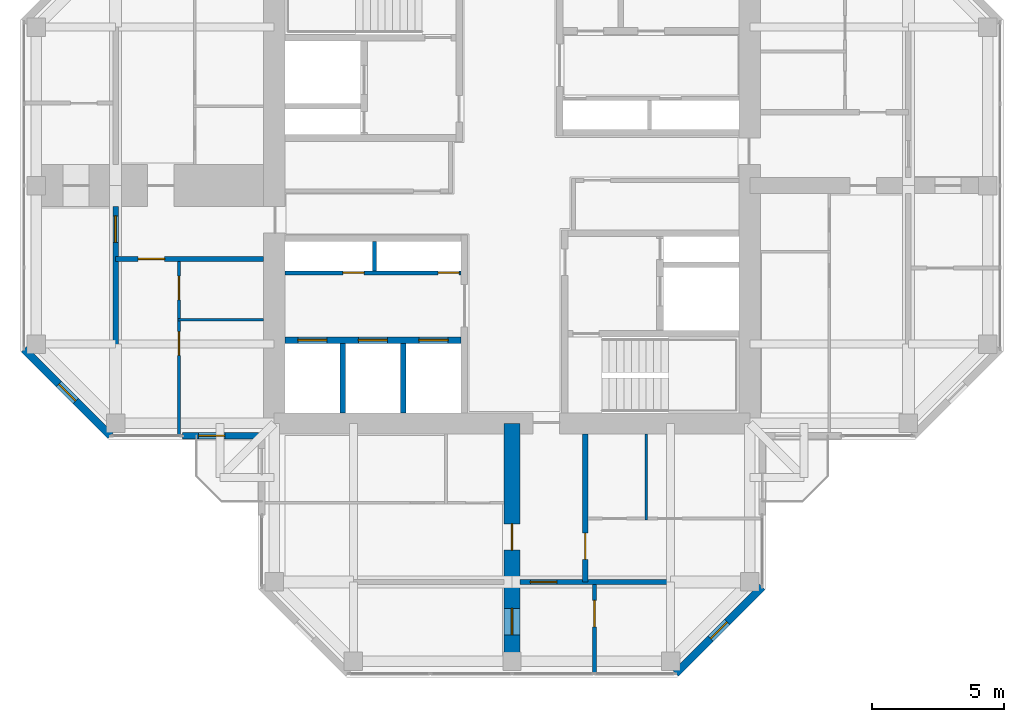
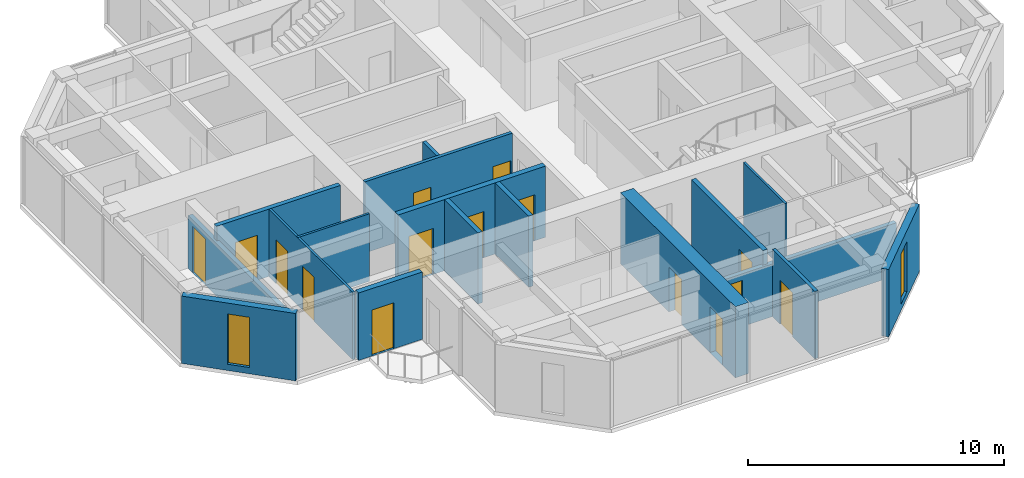
# One storey, part 8 of 13: 17 walls, 15 doors, 2 windows, 17 openings.
"""IFC4 building model written with IfcOpenShell, lengths in metres."""

from ifc_helpers import new_model, si_unit, direction, frame, frame_2d, origin, place, context, subcontext, project, spatial, rectangle, hollow_rectangle, extrude, material, layer, layer_set, constituent, constituent_set, type_object, element, fill, save


model = new_model("IFC4")

# Units and contexts
model_context = context("Model", 3, precision=1e-05, world=origin(), true_north=direction((0.0, 1.0)))
body_context = subcontext(model_context, "Body", "Model", "MODEL_VIEW")
ifc_project = project(units=[si_unit("LENGTHUNIT", "METRE"), si_unit("AREAUNIT", "SQUARE_METRE"), si_unit("VOLUMEUNIT", "CUBIC_METRE"), si_unit("PLANEANGLEUNIT", "RADIAN"), si_unit("MASSUNIT", "GRAM", prefix="KILO")], contexts=[model_context])

# Site, building, storey
site_placement = place(None, origin())
site = spatial("IfcSite", under=ifc_project, at=site_placement, CompositionType="ELEMENT")
building_placement = place(site_placement, origin())
building = spatial("IfcBuilding", under=site, at=building_placement, Name="Torre Cruceta", CompositionType="ELEMENT")
storey_placement = place(building_placement, frame((0.0, 0.0, 261.10009765625)))
storey = spatial("IfcBuildingStorey", under=building, at=storey_placement, Name="L67", CompositionType="ELEMENT", Elevation=261.10009765625)

# Walls
ifc_material_1 = material(Name="Water-resistant plasterboard on steel studs", Category="steel")
ifc_layer_1 = layer(ifc_material_1, 0.10009765625)
ifc_layer_set_1 = layer_set([ifc_layer_1], Name="Water-resistant plasterboard on steel studs")
wall_type_1 = type_object("IfcWallType", Name="BATHROOM WALL 100", PredefinedType="PARTITIONING", material=ifc_layer_set_1)
for number, where, z_axis, x_axis, name in (
    (1, (5.074951171875, -9.39990234375, 0.0), (0.0, 0.0, 1.0), (0.0, -1.0, 0.0), "PT4 L67-S-U1LBB"),
    (2, (-9.39990234375, -5.074951171875, 0.0), (0.0, 0.0, 1.0), (-1.0, 0.0, 0.0), "PT4 L67-W-U1LBB"),
):
    element("IfcWall", number, at=place(storey_placement, frame(where, z_axis=z_axis, x_axis=x_axis)), inside=storey, type_object=wall_type_1, Name=name, PredefinedType="PARTITIONING", context=body_context, shape_type="SweptSolid", body=[
        extrude(rectangle(XDim=3.25, YDim=0.10009765625, at=frame_2d((1.625, 0.0))), origin(), (0.0, 0.0, 1.0), 3.219970703125),
    ])

# Wall, openings, doors
wall_1_placement = place(storey_placement, frame((-12.60009765625, -2.875, 0.0), z_axis=(0.0, 0.0, 1.0), x_axis=(0.0, -1.0, 0.0)))
wall_1 = element("IfcWall", 3, at=wall_1_placement, inside=storey, type_object=wall_type_1, Name="PT4 L67-W-U1LBS", PredefinedType="PARTITIONING", context=body_context, shape_type="SweptSolid", body=[
    extrude(rectangle(XDim=6.554931640625, YDim=0.10009765625, at=frame_2d((3.27734375, 0.0))), origin(), (0.0, 0.0, 1.0), 3.219970703125),
])
opening_1_placement = place(wall_1_placement, frame((0.550048828125, 0.0, 0.0)))
opening_1 = element("IfcOpeningElement", 4, at=opening_1_placement, cuts=wall_1, Name="Opening D7", PredefinedType="OPENING", context=body_context, shape_type="SweptSolid", body=[
    extrude(rectangle(XDim=0.89990234375, YDim=2.10009765625, at=frame_2d((0.449951171875, 1.050048828125))), frame((0.0, 0.06005859375, 0.0), z_axis=(0.0, -1.0, 0.0), x_axis=(1.0, 0.0, 0.0)), (0.0, 0.0, 1.0), 0.1201171875),
])
opening_2_placement = place(wall_1_placement, frame((2.64990234375, 0.0, 0.0)))
opening_2 = element("IfcOpeningElement", 5, at=opening_2_placement, cuts=wall_1, Name="Opening D7", PredefinedType="OPENING", context=body_context, shape_type="SweptSolid", body=[
    extrude(rectangle(XDim=0.89990234375, YDim=2.10009765625, at=frame_2d((0.449951171875, 1.050048828125))), frame((0.0, 0.06005859375, 0.0), z_axis=(0.0, -1.0, 0.0), x_axis=(1.0, 0.0, 0.0)), (0.0, 0.0, 1.0), 0.1201171875),
])
ifc_material_2 = material(Name="Timber door", Category="wood")
door_type_1 = type_object("IfcDoorType", Name="BATHROOM DOOR 900X2100", OperationType="SINGLE_SWING_LEFT", PredefinedType="DOOR", material=ifc_material_2)
door_1_placement = place(opening_1_placement, origin())
door_1 = element("IfcDoor", 6, at=door_1_placement, inside=storey, type_object=door_type_1, Name="D7 L67-W-U1LBS-D1", OperationType="SINGLE_SWING_LEFT", OverallHeight=2.10009765625, OverallWidth=0.89990234375, PredefinedType="DOOR", context=body_context, shape_type="SweptSolid", body=[
    extrude(rectangle(XDim=0.89990234375, YDim=2.10009765625, at=frame_2d((0.449951171875, 1.050048828125))), frame((0.0, 0.02490234375, 0.0), z_axis=(0.0, -1.0, 0.0), x_axis=(1.0, 0.0, 0.0)), (0.0, 0.0, 1.0), 0.050048828125),
])
fill(opening_1, door_1)
door_2_placement = place(opening_2_placement, origin())
door_2 = element("IfcDoor", 7, at=door_2_placement, inside=storey, type_object=door_type_1, Name="D7 L67-W-U1LBS-D2", OperationType="SINGLE_SWING_LEFT", OverallHeight=2.10009765625, OverallWidth=0.89990234375, PredefinedType="DOOR", context=body_context, shape_type="SweptSolid", body=[
    extrude(rectangle(XDim=0.89990234375, YDim=2.10009765625, at=frame_2d((0.449951171875, 1.050048828125))), frame((0.0, 0.02490234375, 0.0), z_axis=(0.0, -1.0, 0.0), x_axis=(1.0, 0.0, 0.0)), (0.0, 0.0, 1.0), 0.050048828125),
])
fill(opening_2, door_2)

ifc_material_3 = material(Name="Concrete G60 (fck 60 MPa)", Category="concrete")
ifc_layer_2 = layer(ifc_material_3, 0.25)
ifc_layer_set_2 = layer_set([ifc_layer_2], Name="Concrete G60 (fck 60 MPa)")
wall_type_2 = type_object("IfcWallType", Name="CORE INNER WALL 250 G60", PredefinedType="SHEAR", material=ifc_layer_set_2)
wall_2_placement = place(storey_placement, frame((-1.925048828125, -5.85009765625, 0.0), z_axis=(0.0, 0.0, 1.0), x_axis=(-1.0, 0.0, 0.0)))
wall_2 = element("IfcWall", 8, at=wall_2_placement, inside=storey, type_object=wall_type_2, Name="CW4 L67 SW-LV", PredefinedType="SHEAR", context=body_context, shape_type="SweptSolid", body=[
    extrude(rectangle(XDim=6.675048828125, YDim=0.25, at=frame_2d((3.33740234375, 0.0))), origin(), (0.0, 0.0, 1.0), 3.39990234375),
])
opening_3_placement = place(wall_2_placement, frame((0.495849609375, 0.0, 0.0)))
opening_3 = element("IfcOpeningElement", 9, at=opening_3_placement, cuts=wall_2, Name="Opening LD1", PredefinedType="OPENING", context=body_context, shape_type="SweptSolid", body=[
    extrude(rectangle(XDim=1.10009765625, YDim=2.199951171875, at=frame_2d((0.550048828125, 1.10009765625))), frame((0.0, 0.135009765625, 0.0), z_axis=(0.0, -1.0, 0.0), x_axis=(1.0, 0.0, 0.0)), (0.0, 0.0, 1.0), 0.27001953125),
])
opening_4_placement = place(wall_2_placement, frame((2.78759765625, 0.0, 0.0)))
opening_4 = element("IfcOpeningElement", 10, at=opening_4_placement, cuts=wall_2, Name="Opening LD1", PredefinedType="OPENING", context=body_context, shape_type="SweptSolid", body=[
    extrude(rectangle(XDim=1.10009765625, YDim=2.199951171875, at=frame_2d((0.550048828125, 1.10009765625))), frame((0.0, 0.135009765625, 0.0), z_axis=(0.0, -1.0, 0.0), x_axis=(1.0, 0.0, 0.0)), (0.0, 0.0, 1.0), 0.27001953125),
])
opening_5_placement = place(wall_2_placement, frame((5.0791015625, 0.0, 0.0)))
opening_5 = element("IfcOpeningElement", 11, at=opening_5_placement, cuts=wall_2, Name="Opening LD1", PredefinedType="OPENING", context=body_context, shape_type="SweptSolid", body=[
    extrude(rectangle(XDim=1.10009765625, YDim=2.199951171875, at=frame_2d((0.550048828125, 1.10009765625))), frame((0.0, 0.135009765625, 0.0), z_axis=(0.0, -1.0, 0.0), x_axis=(1.0, 0.0, 0.0)), (0.0, 0.0, 1.0), 0.27001953125),
])
ifc_material_4 = material(Name="Stainless steel 1.4401", Category="steel")
door_type_2 = type_object("IfcDoorType", Name="LIFT LANDING DOOR 1100X2200", OperationType="DOUBLE_DOOR_SLIDING", PredefinedType="DOOR", material=ifc_material_4)
door_3_placement = place(opening_3_placement, origin())
door_3 = element("IfcDoor", 12, at=door_3_placement, inside=storey, type_object=door_type_2, Name="Lift landing door R1", OperationType="DOUBLE_DOOR_SLIDING", OverallHeight=2.199951171875, OverallWidth=1.10009765625, PredefinedType="DOOR", context=body_context, shape_type="SweptSolid", body=[
    extrude(rectangle(XDim=1.10009765625, YDim=2.199951171875, at=frame_2d((0.550048828125, 1.10009765625))), frame((0.0, 0.02490234375, 0.0), z_axis=(0.0, -1.0, 0.0), x_axis=(1.0, 0.0, 0.0)), (0.0, 0.0, 1.0), 0.050048828125),
])
fill(opening_3, door_3)
door_4_placement = place(opening_4_placement, origin())
door_4 = element("IfcDoor", 13, at=door_4_placement, inside=storey, type_object=door_type_2, Name="Lift landing door R2", OperationType="DOUBLE_DOOR_SLIDING", OverallHeight=2.199951171875, OverallWidth=1.10009765625, PredefinedType="DOOR", context=body_context, shape_type="SweptSolid", body=[
    extrude(rectangle(XDim=1.10009765625, YDim=2.199951171875, at=frame_2d((0.550048828125, 1.10009765625))), frame((0.0, 0.02490234375, 0.0), z_axis=(0.0, -1.0, 0.0), x_axis=(1.0, 0.0, 0.0)), (0.0, 0.0, 1.0), 0.050048828125),
])
fill(opening_4, door_4)
door_5_placement = place(opening_5_placement, origin())
door_5 = element("IfcDoor", 14, at=door_5_placement, inside=storey, type_object=door_type_2, Name="Lift landing door R3", OperationType="DOUBLE_DOOR_SLIDING", OverallHeight=2.199951171875, OverallWidth=1.10009765625, PredefinedType="DOOR", context=body_context, shape_type="SweptSolid", body=[
    extrude(rectangle(XDim=1.10009765625, YDim=2.199951171875, at=frame_2d((0.550048828125, 1.10009765625))), frame((0.0, 0.02490234375, 0.0), z_axis=(0.0, -1.0, 0.0), x_axis=(1.0, 0.0, 0.0)), (0.0, 0.0, 1.0), 0.050048828125),
])
fill(opening_5, door_5)

# Wall, opening, door
ifc_material_5 = material(Name="Concrete G25 (fck 25 MPa)", Category="concrete")
ifc_layer_3 = layer(ifc_material_5, 0.199951171875)
ifc_layer_set_3 = layer_set([ifc_layer_3], Name="Concrete G25 (fck 25 MPa)")
wall_type_3 = type_object("IfcWallType", Name="CORRIDOR WALL 200", PredefinedType="SOLIDWALL", material=ifc_layer_set_3)
wall_3_placement = place(storey_placement, frame((2.77490234375, -9.39990234375, 0.0), z_axis=(0.0, 0.0, 1.0), x_axis=(0.0, -1.0, 0.0)))
wall_3 = element("IfcWall", 15, at=wall_3_placement, inside=storey, type_object=wall_type_3, Name="PT3 L67-S-CL", PredefinedType="SOLIDWALL", context=body_context, shape_type="SweptSolid", body=[
    extrude(rectangle(XDim=5.60009765625, YDim=0.199951171875, at=frame_2d((2.800048828125, 0.0))), origin(), (0.0, 0.0, 1.0), 3.219970703125),
])
opening_6_placement = place(wall_3_placement, frame((3.75, 0.0, 0.0)))
opening_6 = element("IfcOpeningElement", 16, at=opening_6_placement, cuts=wall_3, Name="Opening D6", PredefinedType="OPENING", context=body_context, shape_type="SweptSolid", body=[
    extrude(rectangle(XDim=1.0, YDim=2.14990234375, at=frame_2d((0.5, 1.074951171875))), frame((0.0, 0.10986328125, 0.0), z_axis=(0.0, -1.0, 0.0), x_axis=(1.0, 0.0, 0.0)), (0.0, 0.0, 1.0), 0.219970703125),
])
ifc_material_6 = material(Name="Timber fire door", Category="wood")
door_type_3 = type_object("IfcDoorType", Name="UNIT ENTRANCE DOOR 1000X2150", OperationType="SINGLE_SWING_LEFT", PredefinedType="DOOR", material=ifc_material_6)
door_6_placement = place(opening_6_placement, origin())
door_6 = element("IfcDoor", 17, at=door_6_placement, inside=storey, type_object=door_type_3, Name="D6 L67-S-CL-D1", OperationType="SINGLE_SWING_LEFT", OverallHeight=2.14990234375, OverallWidth=1.0, PredefinedType="DOOR", context=body_context, shape_type="SweptSolid", body=[
    extrude(rectangle(XDim=1.0, YDim=2.14990234375, at=frame_2d((0.5, 1.074951171875))), frame((0.0, 0.02490234375, 0.0), z_axis=(0.0, -1.0, 0.0), x_axis=(1.0, 0.0, 0.0)), (0.0, 0.0, 1.0), 0.050048828125),
])
fill(opening_6, door_6)

wall_4_placement = place(storey_placement, frame((-9.39990234375, -2.77490234375, 0.0), z_axis=(0.0, 0.0, 1.0), x_axis=(-1.0, 0.0, 0.0)))
wall_4 = element("IfcWall", 18, at=wall_4_placement, inside=storey, type_object=wall_type_3, Name="PT3 L67-W-CL", PredefinedType="SOLIDWALL", context=body_context, shape_type="SweptSolid", body=[
    extrude(rectangle(XDim=5.60009765625, YDim=0.199951171875, at=frame_2d((2.800048828125, 0.0))), origin(), (0.0, 0.0, 1.0), 3.219970703125),
])
opening_7_placement = place(wall_4_placement, frame((3.75, 0.0, 0.0)))
opening_7 = element("IfcOpeningElement", 19, at=opening_7_placement, cuts=wall_4, Name="Opening D6", PredefinedType="OPENING", context=body_context, shape_type="SweptSolid", body=[
    extrude(rectangle(XDim=1.0, YDim=2.14990234375, at=frame_2d((0.5, 1.074951171875))), frame((0.0, 0.10986328125, 0.0), z_axis=(0.0, -1.0, 0.0), x_axis=(1.0, 0.0, 0.0)), (0.0, 0.0, 1.0), 0.219970703125),
])
door_7_placement = place(opening_7_placement, origin())
door_7 = element("IfcDoor", 20, at=door_7_placement, inside=storey, type_object=door_type_3, Name="D6 L67-W-CL-D1", OperationType="SINGLE_SWING_LEFT", OverallHeight=2.14990234375, OverallWidth=1.0, PredefinedType="DOOR", context=body_context, shape_type="SweptSolid", body=[
    extrude(rectangle(XDim=1.0, YDim=2.14990234375, at=frame_2d((0.5, 1.074951171875))), frame((0.0, 0.02490234375, 0.0), z_axis=(0.0, -1.0, 0.0), x_axis=(1.0, 0.0, 0.0)), (0.0, 0.0, 1.0), 0.050048828125),
])
fill(opening_7, door_7)

# Wall, opening, window
ifc_material_7 = material(Name="Concrete G30 (fck 30 MPa)", Category="concrete")
ifc_layer_4 = layer(ifc_material_7, 0.300048828125)
ifc_layer_set_4 = layer_set([ifc_layer_4], Name="Concrete G30 (fck 30 MPa)")
wall_type_4 = type_object("IfcWallType", Name="EXPOSED CONCRETE FACADE WALL 300", PredefinedType="SOLIDWALL", material=ifc_layer_set_4)
wall_5_placement = place(storey_placement, frame((-18.469970703125, -6.194580078125, 0.0), z_axis=(0.0, 0.0, 1.0), x_axis=(0.707106781187, -0.707106781187, 0.0)))
wall_5 = element("IfcWall", 21, at=wall_5_placement, inside=storey, type_object=wall_type_4, Name="EW1 facade wall L67 W chamfer 13", PredefinedType="SOLIDWALL", context=body_context, shape_type="SweptSolid", body=[
    extrude(rectangle(XDim=4.632080078125, YDim=0.300048828125, at=frame_2d((2.31591796875, 0.0))), origin(), (0.0, 0.0, 1.0), 3.219970703125),
])
opening_8_placement = place(wall_5_placement, frame((1.865966796875, 0.0, 0.300048828125)))
opening_8 = element("IfcOpeningElement", 22, at=opening_8_placement, cuts=wall_5, Name="Opening WN5", PredefinedType="OPENING", context=body_context, shape_type="SweptSolid", body=[
    extrude(rectangle(XDim=0.89990234375, YDim=2.39990234375, at=frame_2d((0.449951171875, 1.199951171875))), frame((0.0, 0.159912109375, 0.0), z_axis=(0.0, -1.0, 0.0), x_axis=(1.0, 0.0, 0.0)), (0.0, 0.0, 1.0), 0.320068359375),
])
ifc_material_8 = material(Name="Aluminium window frame", Category="aluminium")
ifc_constituent_1 = constituent(ifc_material_8, Name="Frame")
ifc_material_9 = material(Name="Laminated insulating glass unit, low-iron clear", Category="glass")
ifc_constituent_2 = constituent(ifc_material_9, Name="Glazing")
ifc_constituent_set_1 = constituent_set(constituents=[ifc_constituent_1, ifc_constituent_2], Name="Aluminium window")
window_type = type_object("IfcWindowType", Name="CHAMFER SLOT WINDOW 900X2400", PartitioningType="SINGLE_PANEL", PredefinedType="WINDOW", material=ifc_constituent_set_1)
window_1_placement = place(opening_8_placement, origin())
window_1 = element("IfcWindow", 23, at=window_1_placement, inside=storey, type_object=window_type, Name="WN5 L67 W 1", OverallHeight=2.39990234375, OverallWidth=0.89990234375, PartitioningType="SINGLE_PANEL", PredefinedType="WINDOW", context=body_context, shape_type="SweptSolid", body=[
    extrude(hollow_rectangle(XDim=0.89990234375, YDim=2.39990234375, WallThickness=0.06005859375, at=frame_2d((0.449951171875, 1.199951171875))), frame((0.0, 0.030029296875, 0.0), z_axis=(0.0, -1.0, 0.0), x_axis=(1.0, 0.0, 0.0)), (0.0, 0.0, 1.0), 0.06005859375),
    extrude(rectangle(XDim=0.77880859375, YDim=2.27880859375, at=frame_2d((0.449951171875, 1.199951171875))), frame((0.0, 0.030029296875, 0.0), z_axis=(0.0, -1.0, 0.0), x_axis=(1.0, 0.0, 0.0)), (0.0, 0.0, 1.0), 0.06005859375),
])
fill(opening_8, window_1)

wall_6_placement = place(storey_placement, frame((6.194580078125, -18.469970703125, 0.0), z_axis=(0.0, 0.0, 1.0), x_axis=(0.707106781187, 0.707106781187, 0.0)))
wall_6 = element("IfcWall", 24, at=wall_6_placement, inside=storey, type_object=wall_type_4, Name="EW1 facade wall L67 S chamfer 18", PredefinedType="SOLIDWALL", context=body_context, shape_type="SweptSolid", body=[
    extrude(rectangle(XDim=4.632080078125, YDim=0.300048828125, at=frame_2d((2.31591796875, 0.0))), origin(), (0.0, 0.0, 1.0), 3.219970703125),
])
opening_9_placement = place(wall_6_placement, frame((1.865966796875, 0.0, 0.300048828125)))
opening_9 = element("IfcOpeningElement", 25, at=opening_9_placement, cuts=wall_6, Name="Opening WN5", PredefinedType="OPENING", context=body_context, shape_type="SweptSolid", body=[
    extrude(rectangle(XDim=0.89990234375, YDim=2.39990234375, at=frame_2d((0.449951171875, 1.199951171875))), frame((0.0, 0.159912109375, 0.0), z_axis=(0.0, -1.0, 0.0), x_axis=(1.0, 0.0, 0.0)), (0.0, 0.0, 1.0), 0.320068359375),
])
window_2_placement = place(opening_9_placement, origin())
window_2 = element("IfcWindow", 26, at=window_2_placement, inside=storey, type_object=window_type, Name="WN5 L67 S 1", OverallHeight=2.39990234375, OverallWidth=0.89990234375, PartitioningType="SINGLE_PANEL", PredefinedType="WINDOW", context=body_context, shape_type="SweptSolid", body=[
    extrude(hollow_rectangle(XDim=0.89990234375, YDim=2.39990234375, WallThickness=0.06005859375, at=frame_2d((0.449951171875, 1.199951171875))), frame((0.0, 0.030029296875, 0.0), z_axis=(0.0, -1.0, 0.0), x_axis=(1.0, 0.0, 0.0)), (0.0, 0.0, 1.0), 0.06005859375),
    extrude(rectangle(XDim=0.77880859375, YDim=2.27880859375, at=frame_2d((0.449951171875, 1.199951171875))), frame((0.0, 0.030029296875, 0.0), z_axis=(0.0, -1.0, 0.0), x_axis=(1.0, 0.0, 0.0)), (0.0, 0.0, 1.0), 0.06005859375),
])
fill(opening_9, window_2)

# Walls
ifc_material_10 = material(Name="Concrete G35 (fck 35 MPa)", Category="concrete")
ifc_layer_5 = layer(ifc_material_10, 0.199951171875)
ifc_layer_set_5 = layer_set([ifc_layer_5], Name="Concrete G35 (fck 35 MPa)")
wall_type_5 = type_object("IfcWallType", Name="LIFT SHAFT WALL 200", PredefinedType="PARTITIONING", material=ifc_layer_set_5)
for number, where, z_axis, x_axis, name in (
    (27, (-4.11669921875, -5.97509765625, 0.0), (0.0, 0.0, 1.0), (0.0, -1.0, 0.0), "SW1 L67 SW-LS1"),
    (28, (-6.408447265625, -5.97509765625, 0.0), (0.0, 0.0, 1.0), (0.0, -1.0, 0.0), "SW1 L67 SW-LS2"),
):
    element("IfcWall", number, at=place(storey_placement, frame(where, z_axis=z_axis, x_axis=x_axis)), inside=storey, type_object=wall_type_5, Name=name, PredefinedType="PARTITIONING", context=body_context, shape_type="SweptSolid", body=[
        extrude(rectangle(XDim=2.625, YDim=0.199951171875, at=frame_2d((1.3125, 0.0))), origin(), (0.0, 0.0, 1.0), 3.39990234375),
    ])

# Wall, opening, door
ifc_material_11 = material(Name="Plasterboard on steel studs", Category="steel")
ifc_layer_6 = layer(ifc_material_11, 0.14990234375)
ifc_layer_set_6 = layer_set([ifc_layer_6], Name="Plasterboard on steel studs")
wall_type_6 = type_object("IfcWallType", Name="PARTITION 150", PredefinedType="PARTITIONING", material=ifc_layer_set_6)
wall_7_placement = place(storey_placement, frame((3.117919921875, -15.10009765625, 0.0), z_axis=(0.0, 0.0, 1.0), x_axis=(0.0, -1.0, 0.0)))
wall_7 = element("IfcWall", 29, at=wall_7_placement, inside=storey, type_object=wall_type_6, Name="PT1 L67-S-ENDX", PredefinedType="PARTITIONING", context=body_context, shape_type="SweptSolid", body=[
    extrude(rectangle(XDim=3.329833984375, YDim=0.14990234375, at=frame_2d((1.6650390625, 0.0))), origin(), (0.0, 0.0, 1.0), 3.219970703125),
])
opening_10_placement = place(wall_7_placement, frame((0.60009765625, 0.0, 0.0)))
opening_10 = element("IfcOpeningElement", 30, at=opening_10_placement, cuts=wall_7, Name="Opening D3", PredefinedType="OPENING", context=body_context, shape_type="SweptSolid", body=[
    extrude(rectangle(XDim=1.0, YDim=2.10009765625, at=frame_2d((0.5, 1.050048828125))), frame((0.0, 0.0849609375, 0.0), z_axis=(0.0, -1.0, 0.0), x_axis=(1.0, 0.0, 0.0)), (0.0, 0.0, 1.0), 0.169921875),
])
ifc_material_12 = material(Name="Steel DX51D", Category="steel")
ifc_constituent_3 = constituent(ifc_material_12, Name="Leaf and frame")
ifc_material_13 = material(Name="Polyester powder coating", Category="paint")
ifc_constituent_4 = constituent(ifc_material_13, Name="Finish")
ifc_constituent_set_2 = constituent_set(constituents=[ifc_constituent_3, ifc_constituent_4], Name="Steel fire door")
door_type_4 = type_object("IfcDoorType", Name="FIRE DOOR 1000X2100", OperationType="SINGLE_SWING_LEFT", PredefinedType="DOOR", material=ifc_constituent_set_2)
door_8_placement = place(opening_10_placement, frame((1.0, 0.0, 0.0), z_axis=(0.0, 0.0, 1.0), x_axis=(-1.0, 0.0, 0.0)))
door_8 = element("IfcDoor", 31, at=door_8_placement, inside=storey, type_object=door_type_4, Name="D3 L67-S-ENDX-D1", OperationType="SINGLE_SWING_RIGHT", OverallHeight=2.10009765625, OverallWidth=1.0, PredefinedType="DOOR", context=body_context, shape_type="SweptSolid", body=[
    extrude(rectangle(XDim=1.0, YDim=2.10009765625, at=frame_2d((0.5, 1.050048828125))), frame((0.0, 0.025146484375, 0.0), z_axis=(0.0, -1.0, 0.0), x_axis=(1.0, 0.0, 0.0)), (0.0, 0.0, 1.0), 0.050048828125),
])
fill(opening_10, door_8)

# Wall, openings, doors
ifc_material_14 = material(Name="Concrete block masonry", Category="masonry")
ifc_layer_7 = layer(ifc_material_14, 0.14990234375)
ifc_layer_set_7 = layer_set([ifc_layer_7], Name="Concrete block masonry")
wall_type_7 = type_object("IfcWallType", Name="RISER WALL 150", PredefinedType="PARTITIONING", material=ifc_layer_set_7)
wall_8_placement = place(storey_placement, frame((-1.925048828125, -3.300048828125, 0.0), z_axis=(0.0, 0.0, 1.0), x_axis=(-1.0, 0.0, 0.0)))
wall_8 = element("IfcWall", 32, at=wall_8_placement, inside=storey, type_object=wall_type_7, Name="SW7 L67 SW-RV", PredefinedType="PARTITIONING", context=body_context, shape_type="SweptSolid", body=[
    extrude(rectangle(XDim=6.675048828125, YDim=0.14990234375, at=frame_2d((3.33740234375, 0.0))), origin(), (0.0, 0.0, 1.0), 3.39990234375),
])
opening_11_placement = place(wall_8_placement, frame((0.074951171875, 0.0, 0.0)))
opening_11 = element("IfcOpeningElement", 33, at=opening_11_placement, cuts=wall_8, Name="Opening D5", PredefinedType="OPENING", context=body_context, shape_type="SweptSolid", body=[
    extrude(rectangle(XDim=0.800048828125, YDim=2.10009765625, at=frame_2d((0.39990234375, 1.050048828125))), frame((0.0, 0.0849609375, 0.0), z_axis=(0.0, -1.0, 0.0), x_axis=(1.0, 0.0, 0.0)), (0.0, 0.0, 1.0), 0.169921875),
])
opening_12_placement = place(wall_8_placement, frame((3.675048828125, 0.0, 0.0)))
opening_12 = element("IfcOpeningElement", 34, at=opening_12_placement, cuts=wall_8, Name="Opening D5", PredefinedType="OPENING", context=body_context, shape_type="SweptSolid", body=[
    extrude(rectangle(XDim=0.800048828125, YDim=2.10009765625, at=frame_2d((0.39990234375, 1.050048828125))), frame((0.0, 0.0849609375, 0.0), z_axis=(0.0, -1.0, 0.0), x_axis=(1.0, 0.0, 0.0)), (0.0, 0.0, 1.0), 0.169921875),
])
ifc_material_15 = material(Name="Steel DX51D", Category="steel")
ifc_constituent_5 = constituent(ifc_material_15, Name="Leaf and frame")
ifc_material_16 = material(Name="Polyester powder coating", Category="paint")
ifc_constituent_6 = constituent(ifc_material_16, Name="Finish")
ifc_constituent_set_3 = constituent_set(constituents=[ifc_constituent_5, ifc_constituent_6], Name="Steel fire door")
door_type_5 = type_object("IfcDoorType", Name="RISER ACCESS DOOR 800X2100", OperationType="SINGLE_SWING_LEFT", PredefinedType="DOOR", material=ifc_constituent_set_3)
door_9_placement = place(opening_11_placement, frame((0.800048828125, 0.0, 0.0), z_axis=(0.0, 0.0, 1.0), x_axis=(-1.0, 0.0, 0.0)))
door_9 = element("IfcDoor", 35, at=door_9_placement, inside=storey, type_object=door_type_5, Name="D5 L67 SW-RISER1", OperationType="SINGLE_SWING_RIGHT", OverallHeight=2.10009765625, OverallWidth=0.800048828125, PredefinedType="DOOR", context=body_context, shape_type="SweptSolid", body=[
    extrude(rectangle(XDim=0.800048828125, YDim=2.10009765625, at=frame_2d((0.400146484375, 1.050048828125))), frame((0.0, 0.025146484375, 0.0), z_axis=(0.0, -1.0, 0.0), x_axis=(1.0, 0.0, 0.0)), (0.0, 0.0, 1.0), 0.050048828125),
])
fill(opening_11, door_9)
door_10_placement = place(opening_12_placement, frame((0.800048828125, 0.0, 0.0), z_axis=(0.0, 0.0, 1.0), x_axis=(-1.0, 0.0, 0.0)))
door_10 = element("IfcDoor", 36, at=door_10_placement, inside=storey, type_object=door_type_5, Name="D5 L67 SW-RISER2", OperationType="SINGLE_SWING_RIGHT", OverallHeight=2.10009765625, OverallWidth=0.800048828125, PredefinedType="DOOR", context=body_context, shape_type="SweptSolid", body=[
    extrude(rectangle(XDim=0.800048828125, YDim=2.10009765625, at=frame_2d((0.400146484375, 1.050048828125))), frame((0.0, 0.025146484375, 0.0), z_axis=(0.0, -1.0, 0.0), x_axis=(1.0, 0.0, 0.0)), (0.0, 0.0, 1.0), 0.050048828125),
])
fill(opening_12, door_10)

# Wall
wall_9_placement = place(storey_placement, frame((-5.199951171875, -2.125, 0.0), z_axis=(0.0, 0.0, 1.0), x_axis=(0.0, -1.0, 0.0)))
element("IfcWall", 37, at=wall_9_placement, inside=storey, type_object=wall_type_7, Name="SW7 L67 SW-RU", PredefinedType="PARTITIONING", context=body_context, shape_type="SweptSolid", body=[
    extrude(rectangle(XDim=1.10009765625, YDim=0.14990234375, at=frame_2d((0.550048828125, 0.0))), origin(), (0.0, 0.0, 1.0), 3.39990234375),
])

# Wall, openings, doors
ifc_material_17 = material(Name="Concrete G60 (fck 60 MPa)", Category="concrete")
ifc_layer_8 = layer(ifc_material_17, 0.60009765625)
ifc_layer_set_8 = layer_set([ifc_layer_8], Name="Concrete G60 (fck 60 MPa)")
wall_type_8 = type_object("IfcWallType", Name="SPINE WALL 600 G60", PredefinedType="SHEAR", material=ifc_layer_set_8)
wall_10_placement = place(storey_placement, frame((0.0, -9.0, 0.0), z_axis=(0.0, 0.0, 1.0), x_axis=(0.0, -1.0, 0.0)))
wall_10 = element("IfcWall", 38, at=wall_10_placement, inside=storey, type_object=wall_type_8, Name="SW5 spine wall L67 S", PredefinedType="SHEAR", context=body_context, shape_type="SweptSolid", body=[
    extrude(rectangle(XDim=9.0, YDim=0.60009765625, at=frame_2d((4.5, 0.0))), origin(), (0.0, 0.0, 1.0), 3.39990234375),
])
opening_13_placement = place(wall_10_placement, frame((3.800048828125, 0.0, 0.0)))
opening_13 = element("IfcOpeningElement", 39, at=opening_13_placement, cuts=wall_10, Name="Opening D6", PredefinedType="OPENING", context=body_context, shape_type="SweptSolid", body=[
    extrude(rectangle(XDim=1.0, YDim=2.14990234375, at=frame_2d((0.5, 1.074951171875))), frame((0.0, 0.31005859375, 0.0), z_axis=(0.0, -1.0, 0.0), x_axis=(1.0, 0.0, 0.0)), (0.0, 0.0, 1.0), 0.6201171875),
])
opening_14_placement = place(wall_10_placement, frame((7.0, 0.0, 0.0)))
opening_14 = element("IfcOpeningElement", 40, at=opening_14_placement, cuts=wall_10, Name="Opening D14", PredefinedType="OPENING", context=body_context, shape_type="SweptSolid", body=[
    extrude(rectangle(XDim=1.0, YDim=2.199951171875, at=frame_2d((0.5, 1.10009765625))), frame((0.0, 0.31005859375, 0.0), z_axis=(0.0, -1.0, 0.0), x_axis=(1.0, 0.0, 0.0)), (0.0, 0.0, 1.0), 0.6201171875),
])
ifc_material_18 = material(Name="Steel DX51D", Category="steel")
ifc_constituent_7 = constituent(ifc_material_18, Name="Leaf and frame")
ifc_material_19 = material(Name="Polyester powder coating", Category="paint")
ifc_constituent_8 = constituent(ifc_material_19, Name="Finish")
ifc_material_20 = material(Name="Fire-resisting glass", Category="glass")
ifc_constituent_9 = constituent(ifc_material_20, Name="Vision panel")
ifc_constituent_set_4 = constituent_set(constituents=[ifc_constituent_7, ifc_constituent_8, ifc_constituent_9], Name="Steel fire door with vision panel")
door_type_6 = type_object("IfcDoorType", Name="FIRE DOOR VISION PANEL 1000X2200", OperationType="SINGLE_SWING_RIGHT", PredefinedType="DOOR", material=ifc_constituent_set_4)
door_11_placement = place(opening_14_placement, origin())
door_11 = element("IfcDoor", 41, at=door_11_placement, inside=storey, type_object=door_type_6, Name="D14 L67-S-SP2", OperationType="SINGLE_SWING_LEFT", OverallHeight=2.199951171875, OverallWidth=1.0, PredefinedType="DOOR", context=body_context, shape_type="SweptSolid", body=[
    extrude(rectangle(XDim=1.0, YDim=2.199951171875, at=frame_2d((0.5, 1.10009765625))), frame((0.0, 0.02490234375, 0.0), z_axis=(0.0, -1.0, 0.0), x_axis=(1.0, 0.0, 0.0)), (0.0, 0.0, 1.0), 0.050048828125),
])
fill(opening_14, door_11)
door_12_placement = place(opening_13_placement, frame((1.0, 0.0, 0.0), z_axis=(0.0, 0.0, 1.0), x_axis=(-1.0, 0.0, 0.0)))
door_12 = element("IfcDoor", 42, at=door_12_placement, inside=storey, type_object=door_type_3, Name="D6 L67-S-SP1", OperationType="SINGLE_SWING_RIGHT", OverallHeight=2.14990234375, OverallWidth=1.0, PredefinedType="DOOR", context=body_context, shape_type="SweptSolid", body=[
    extrude(rectangle(XDim=1.0, YDim=2.14990234375, at=frame_2d((0.5, 1.074951171875))), frame((0.0, 0.025146484375, 0.0), z_axis=(0.0, -1.0, 0.0), x_axis=(1.0, 0.0, 0.0)), (0.0, 0.0, 1.0), 0.050048828125),
])
fill(opening_13, door_12)

# Wall, opening, door
ifc_material_21 = material(Name="Concrete G25 (fck 25 MPa)", Category="concrete")
ifc_layer_9 = layer(ifc_material_21, 0.199951171875)
ifc_layer_set_9 = layer_set([ifc_layer_9], Name="Concrete G25 (fck 25 MPa)")
wall_type_9 = type_object("IfcWallType", Name="UNIT SEPARATING WALL 200", PredefinedType="SOLIDWALL", material=ifc_layer_set_9)
wall_11_placement = place(storey_placement, frame((0.300048828125, -15.0, 0.0), z_axis=(0.0, 0.0, 1.0), x_axis=(1.0, 0.0, 0.0)))
wall_11 = element("IfcWall", 43, at=wall_11_placement, inside=storey, type_object=wall_type_9, Name="PT2 L67-S-ENDb", PredefinedType="SOLIDWALL", context=body_context, shape_type="SweptSolid", body=[
    extrude(rectangle(XDim=8.349853515625, YDim=0.199951171875, at=frame_2d((4.1748046875, 0.0))), origin(), (0.0, 0.0, 1.0), 2.52001953125),
])
opening_15_placement = place(wall_11_placement, frame((0.39990234375, 0.0, 0.0)))
opening_15 = element("IfcOpeningElement", 44, at=opening_15_placement, cuts=wall_11, Name="Opening D14", PredefinedType="OPENING", context=body_context, shape_type="SweptSolid", body=[
    extrude(rectangle(XDim=1.0, YDim=2.199951171875, at=frame_2d((0.5, 1.10009765625))), frame((0.0, 0.10986328125, 0.0), z_axis=(0.0, -1.0, 0.0), x_axis=(1.0, 0.0, 0.0)), (0.0, 0.0, 1.0), 0.219970703125),
])
door_13_placement = place(opening_15_placement, frame((1.0, 0.0, 0.0), z_axis=(0.0, 0.0, 1.0), x_axis=(-1.0, 0.0, 0.0)))
door_13 = element("IfcDoor", 45, at=door_13_placement, inside=storey, type_object=door_type_6, Name="D14 L67-S-ENDb-D1", OperationType="SINGLE_SWING_LEFT", OverallHeight=2.199951171875, OverallWidth=1.0, PredefinedType="DOOR", context=body_context, shape_type="SweptSolid", body=[
    extrude(rectangle(XDim=1.0, YDim=2.199951171875, at=frame_2d((0.5, 1.10009765625))), frame((0.0, 0.025146484375, 0.0), z_axis=(0.0, -1.0, 0.0), x_axis=(1.0, 0.0, 0.0)), (0.0, 0.0, 1.0), 0.050048828125),
])
fill(opening_15, door_13)

wall_12_placement = place(storey_placement, frame((-15.0, -0.800048828125, 0.0), z_axis=(0.0, 0.0, 1.0), x_axis=(0.0, -1.0, 0.0)))
wall_12 = element("IfcWall", 46, at=wall_12_placement, inside=storey, type_object=wall_type_9, Name="PT2 L67-W-ENDb", PredefinedType="SOLIDWALL", context=body_context, shape_type="SweptSolid", body=[
    extrude(rectangle(XDim=7.849853515625, YDim=0.199951171875, at=frame_2d((3.9248046875, 0.0))), origin(), (0.0, 0.0, 1.0), 2.52001953125),
])
opening_16_placement = place(wall_12_placement, frame((0.35009765625, 0.0, 0.0)))
opening_16 = element("IfcOpeningElement", 47, at=opening_16_placement, cuts=wall_12, Name="Opening D14", PredefinedType="OPENING", context=body_context, shape_type="SweptSolid", body=[
    extrude(rectangle(XDim=1.0, YDim=2.199951171875, at=frame_2d((0.5, 1.10009765625))), frame((0.0, 0.10986328125, 0.0), z_axis=(0.0, -1.0, 0.0), x_axis=(1.0, 0.0, 0.0)), (0.0, 0.0, 1.0), 0.219970703125),
])
door_14_placement = place(opening_16_placement, frame((1.0, 0.0, 0.0), z_axis=(0.0, 0.0, 1.0), x_axis=(-1.0, 0.0, 0.0)))
door_14 = element("IfcDoor", 48, at=door_14_placement, inside=storey, type_object=door_type_6, Name="D14 L67-W-ENDb-D1", OperationType="SINGLE_SWING_RIGHT", OverallHeight=2.199951171875, OverallWidth=1.0, PredefinedType="DOOR", context=body_context, shape_type="SweptSolid", body=[
    extrude(rectangle(XDim=1.0, YDim=2.199951171875, at=frame_2d((0.5, 1.10009765625))), frame((0.0, 0.025146484375, 0.0), z_axis=(0.0, -1.0, 0.0), x_axis=(1.0, 0.0, 0.0)), (0.0, 0.0, 1.0), 0.050048828125),
])
fill(opening_16, door_14)

ifc_material_22 = material(Name="Concrete G30 (fck 30 MPa)", Category="concrete")
ifc_layer_10 = layer(ifc_material_22, 0.25)
ifc_layer_set_10 = layer_set([ifc_layer_10], Name="Concrete G30 (fck 30 MPa)")
wall_type_10 = type_object("IfcWallType", Name="WINTER GARDEN WALL 250", PredefinedType="SOLIDWALL", material=ifc_layer_set_10)
wall_13_placement = place(storey_placement, frame((-12.469970703125, -9.469970703125, 0.0), z_axis=(0.0, 0.0, 1.0), x_axis=(1.0, 0.0, 0.0)))
wall_13 = element("IfcWall", 49, at=wall_13_placement, inside=storey, type_object=wall_type_10, Name="EW2 winter garden wall L67 14", PredefinedType="SOLIDWALL", context=body_context, shape_type="SweptSolid", body=[
    extrude(rectangle(XDim=2.875, YDim=0.25, at=frame_2d((1.4375, 0.0))), origin(), (0.0, 0.0, 1.0), 3.219970703125),
])
opening_17_placement = place(wall_13_placement, frame((0.60009765625, 0.0, 0.0)))
opening_17 = element("IfcOpeningElement", 50, at=opening_17_placement, cuts=wall_13, Name="Opening D10", PredefinedType="OPENING", context=body_context, shape_type="SweptSolid", body=[
    extrude(rectangle(XDim=1.0, YDim=2.199951171875, at=frame_2d((0.5, 1.10009765625))), frame((0.0, 0.135009765625, 0.0), z_axis=(0.0, -1.0, 0.0), x_axis=(1.0, 0.0, 0.0)), (0.0, 0.0, 1.0), 0.27001953125),
])
ifc_material_23 = material(Name="Aluminium door frame", Category="aluminium")
ifc_constituent_10 = constituent(ifc_material_23, Name="Frame")
ifc_material_24 = material(Name="Laminated safety glass", Category="glass")
ifc_constituent_11 = constituent(ifc_material_24, Name="Glazing")
ifc_constituent_set_5 = constituent_set(constituents=[ifc_constituent_10, ifc_constituent_11], Name="Aluminium glazed door")
door_type_7 = type_object("IfcDoorType", Name="BALCONY DOOR 1000X2200", OperationType="SINGLE_SWING_RIGHT", PredefinedType="DOOR", material=ifc_constituent_set_5)
door_15_placement = place(opening_17_placement, origin())
door_15 = element("IfcDoor", 51, at=door_15_placement, inside=storey, type_object=door_type_7, Name="D10 balcony door L67 14", OperationType="SINGLE_SWING_LEFT", OverallHeight=2.199951171875, OverallWidth=1.0, PredefinedType="DOOR", context=body_context, shape_type="SweptSolid", body=[
    extrude(hollow_rectangle(XDim=1.0, YDim=2.199951171875, WallThickness=0.06005859375, at=frame_2d((0.5, 1.10009765625))), frame((0.0, 0.02490234375, 0.0), z_axis=(0.0, -1.0, 0.0), x_axis=(1.0, 0.0, 0.0)), (0.0, 0.0, 1.0), 0.050048828125),
    extrude(rectangle(XDim=0.87890625, YDim=2.078857421875, at=frame_2d((0.5, 1.10009765625))), frame((0.0, 0.02490234375, 0.0), z_axis=(0.0, -1.0, 0.0), x_axis=(1.0, 0.0, 0.0)), (0.0, 0.0, 1.0), 0.050048828125),
])
fill(opening_17, door_15)

save(model, "model.ifc")
